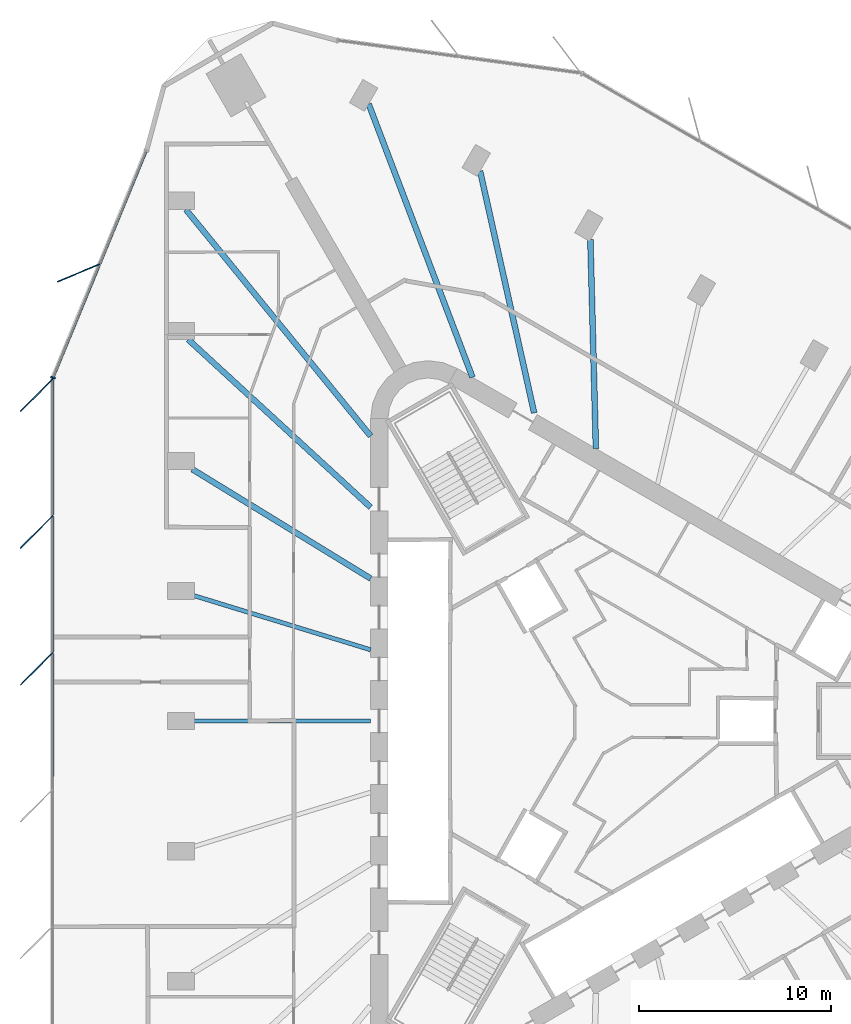
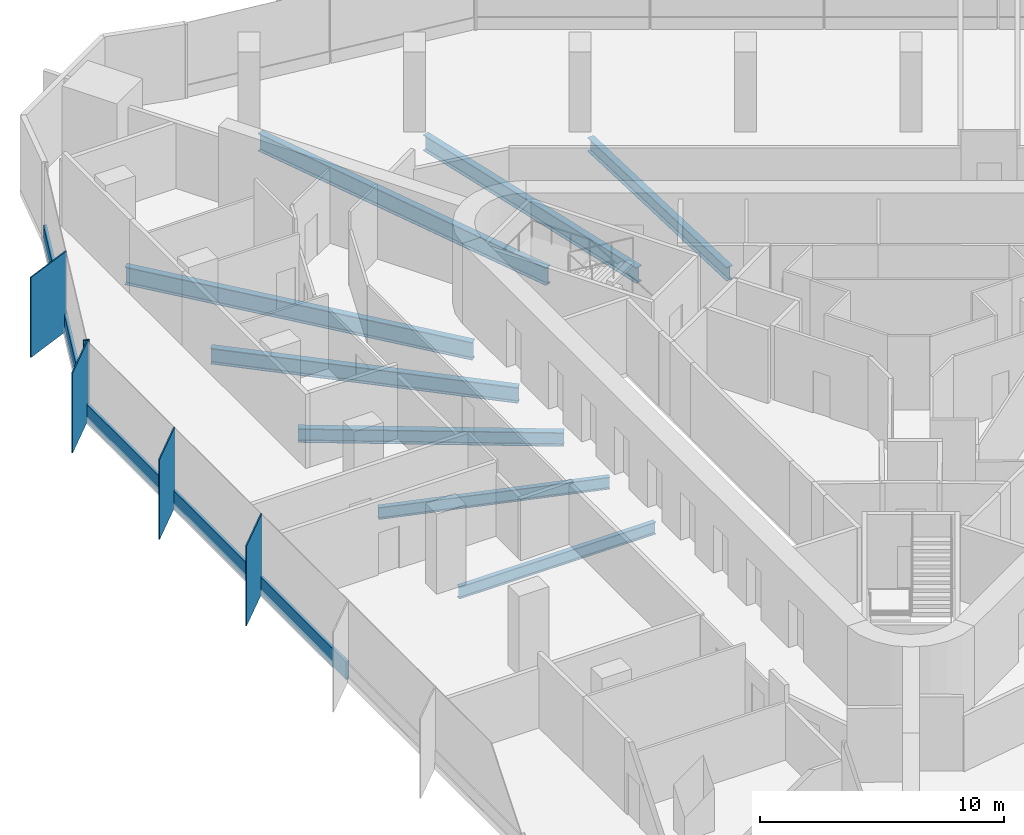
# One storey, part 4 of 14: 10 members, 8 beams, 2 elements without a shape of their own.
"""IFC4 building model written with IfcOpenShell, lengths in metres."""

from ifc_helpers import new_model, si_unit, direction, frame, origin, origin_2d, place, context, subcontext, project, spatial, rectangle, i_section, extrude, material, material_profile, profile_set, type_object, element, aggregate, save


model = new_model("IFC4")

# Units and contexts
model_context = context("Model", 3, precision=1e-05, world=origin(), true_north=direction((0.0, 1.0)))
body_context = subcontext(model_context, "Body", "Model", "MODEL_VIEW")
ifc_project = project(units=[si_unit("LENGTHUNIT", "METRE"), si_unit("AREAUNIT", "SQUARE_METRE"), si_unit("VOLUMEUNIT", "CUBIC_METRE"), si_unit("PLANEANGLEUNIT", "RADIAN"), si_unit("MASSUNIT", "GRAM", prefix="KILO")], contexts=[model_context])

# Site, building, storey
site_placement = place(None, origin())
site = spatial("IfcSite", under=ifc_project, at=site_placement, CompositionType="ELEMENT")
building_placement = place(site_placement, origin())
building = spatial("IfcBuilding", under=site, at=building_placement, Name="Tanit Gate Tower", CompositionType="ELEMENT")
storey_placement = place(building_placement, frame((0.0, 0.0, 229.199951171875)))
storey = spatial("IfcBuildingStorey", under=building, at=storey_placement, Name="L51", CompositionType="ELEMENT", Elevation=229.199951171875)

# Curtain wall, member
ifc_material_1 = material(Name="Aluminium bronze anodised and glass", Category="aluminium")
curtain_wall_type = type_object("IfcCurtainWallType", Name="Curtain wall typical mid", PredefinedType="NOTDEFINED", material=ifc_material_1)
curtain_wall_1_placement = place(storey_placement, origin())
curtain_wall_1 = element("IfcCurtainWall", 1, at=curtain_wall_1_placement, inside=storey, type_object=curtain_wall_type, Name="Curtain wall L51 W1", PredefinedType="NOTDEFINED")
ifc_material_2 = material(Name="Aluminium bronze anodised", Category="aluminium")
ifc_material_profile_1 = material_profile(ifc_material_2, rectangle(XDim=2.39990234375, YDim=0.055908203125, at=origin_2d()), Name="56x2400 bronze fin mullion")
ifc_profile_set_1 = profile_set([ifc_material_profile_1], Name="Aluminium bronze anodised")
member_type_1 = type_object("IfcMemberType", Name="FIN MULLION 56x2400 bronze", PredefinedType="MULLION", material=ifc_profile_set_1)
member_1_placement = place(storey_placement, frame((-27.298828125, 23.334716796875, -0.300048828125), z_axis=(0.0, 0.0, 1.0), x_axis=(0.922885714488, 0.385073964315, 0.0)))
member_1 = element("IfcMember", 2, at=member_1_placement, type_object=member_type_1, Name="Fin mullion L51 W1.2", PredefinedType="MULLION", context=body_context, shape_type="SweptSolid", body=[
    extrude(rectangle(XDim=2.39990234375, YDim=0.055908203125, at=origin_2d()), origin(), (0.0, 0.0, 1.0), 4.0),
])

# Curtain wall, members
curtain_wall_2_placement = place(storey_placement, origin())
curtain_wall_2 = element("IfcCurtainWall", 3, at=curtain_wall_2_placement, inside=storey, type_object=curtain_wall_type, Name="Curtain wall L51 W2", PredefinedType="NOTDEFINED")
member_2_placement = place(storey_placement, frame((-29.48974609375, 16.967529296875, -0.300048828125), z_axis=(0.0, 0.0, 1.0), x_axis=(0.707057749571, 0.707155809403, 0.0)))
member_2 = element("IfcMember", 4, at=member_2_placement, type_object=member_type_1, Name="Fin mullion L51 W2.1", PredefinedType="MULLION", context=body_context, shape_type="SweptSolid", body=[
    extrude(rectangle(XDim=2.39990234375, YDim=0.055908203125, at=origin_2d()), origin(), (0.0, 0.0, 1.0), 4.0),
])
member_3_placement = place(storey_placement, frame((-29.4892578125, 9.84716796875, -0.300048828125), z_axis=(0.0, 0.0, 1.0), x_axis=(0.707057749571, 0.707155809403, 0.0)))
member_3 = element("IfcMember", 5, at=member_3_placement, type_object=member_type_1, Name="Fin mullion L51 W2.2", PredefinedType="MULLION", context=body_context, shape_type="SweptSolid", body=[
    extrude(rectangle(XDim=2.39990234375, YDim=0.055908203125, at=origin_2d()), origin(), (0.0, 0.0, 1.0), 4.0),
])
member_4_placement = place(storey_placement, frame((-29.48876953125, 2.7265625, -0.300048828125), z_axis=(0.0, 0.0, 1.0), x_axis=(0.707057749571, 0.707155809403, 0.0)))
member_4 = element("IfcMember", 6, at=member_4_placement, type_object=member_type_1, Name="Fin mullion L51 W2.3", PredefinedType="MULLION", context=body_context, shape_type="SweptSolid", body=[
    extrude(rectangle(XDim=2.39990234375, YDim=0.055908203125, at=origin_2d()), origin(), (0.0, 0.0, 1.0), 4.0),
])

# Member
ifc_material_3 = material(Name="Aluminium bronze anodised", Category="aluminium")
ifc_material_profile_2 = material_profile(ifc_material_3, rectangle(XDim=0.260009765625, YDim=0.080078125, at=origin_2d()), Name="80x260 bronze mullion")
ifc_profile_set_2 = profile_set([ifc_material_profile_2], Name="Aluminium bronze anodised")
member_type_2 = type_object("IfcMemberType", Name="Mullion 80x260 typical mid", PredefinedType="MULLION", material=ifc_profile_set_2)
member_5_placement = place(storey_placement, frame((-28.64111328125, 17.878173828125, -0.300048828125), z_axis=(0.0, 0.0, 1.0), x_axis=(0.924867158401, -0.380290335549, 0.0)))
member_5 = element("IfcMember", 7, at=member_5_placement, type_object=member_type_2, Name="Mullion L51 W1.3", PredefinedType="MULLION", context=body_context, shape_type="SweptSolid", body=[
    extrude(rectangle(XDim=0.260009765625, YDim=0.080078125, at=origin_2d()), origin(), (0.0, 0.0, 1.0), 4.0),
])

# Beams
ifc_material_4 = material(Name="Steel S355", Category="steel")
ifc_material_profile_3 = material_profile(ifc_material_4, i_section(OverallWidth=0.300048828125, OverallDepth=0.68994140625, WebThickness=0.014404296875, FlangeThickness=0.027099609375, FilletRadius=0.027099609375, at=origin_2d()), Name="HEA 700")
ifc_profile_set_3 = profile_set([ifc_material_profile_3], Name="Steel S355")
beam_type_1 = type_object("IfcBeamType", Name="RADIAL GIRDER HEA 700 S355", PredefinedType="BEAM", material=ifc_profile_set_3)
beam_1_placement = place(storey_placement, frame((-0.661865234375, 25.0791015625, -0.64501953125), z_axis=(0.026380949764, -0.99965196218, 0.0), x_axis=(0.99965196218, 0.026380949764, 0.0)))
element("IfcBeam", 8, at=beam_1_placement, inside=storey, type_object=beam_type_1, Name="RADIAL GIRDER", PredefinedType="BEAM", context=body_context, shape_type="SweptSolid", body=[
    extrude(i_section(OverallWidth=0.300048828125, OverallDepth=0.68994140625, WebThickness=0.014404296875, FlangeThickness=0.027099609375, FilletRadius=0.027099609375, at=origin_2d()), origin(), (0.0, 0.0, 1.0), 10.892578125),
])
beam_2_placement = place(storey_placement, frame((-21.38818359375, 13.11279296875, -0.64501953125), z_axis=(0.852535207667, -0.522669799863, 0.0), x_axis=(0.522669799863, 0.852535207667, 0.0)))
element("IfcBeam", 9, at=beam_2_placement, inside=storey, type_object=beam_type_1, Name="RADIAL GIRDER", PredefinedType="BEAM", context=body_context, shape_type="SweptSolid", body=[
    extrude(i_section(OverallWidth=0.300048828125, OverallDepth=0.68994140625, WebThickness=0.014404296875, FlangeThickness=0.027099609375, FilletRadius=0.027099609375, at=origin_2d()), origin(), (0.0, 0.0, 1.0), 10.892333984375),
])
ifc_material_5 = material(Name="Steel S355", Category="steel")
ifc_material_profile_4 = material_profile(ifc_material_5, i_section(OverallWidth=0.300048828125, OverallDepth=0.7900390625, WebThickness=0.014892578125, FlangeThickness=0.028076171875, FilletRadius=0.030029296875, at=origin_2d()), Name="HEA 800")
ifc_profile_set_4 = profile_set([ifc_material_profile_4], Name="Steel S355")
beam_type_2 = type_object("IfcBeamType", Name="RADIAL GIRDER HEA 800 S355", PredefinedType="BEAM", material=ifc_profile_set_4)
beam_3_placement = place(storey_placement, frame((-6.402587890625, 28.636474609375, -0.695068359375), z_axis=(0.218198546062, -0.975904398236, 0.0), x_axis=(0.975904398236, 0.218198546062, 0.0)))
element("IfcBeam", 10, at=beam_3_placement, inside=storey, type_object=beam_type_2, Name="RADIAL GIRDER", PredefinedType="BEAM", context=body_context, shape_type="SweptSolid", body=[
    extrude(i_section(OverallWidth=0.300048828125, OverallDepth=0.7900390625, WebThickness=0.014892578125, FlangeThickness=0.028076171875, FilletRadius=0.030029296875, at=origin_2d()), origin(), (0.0, 0.0, 1.0), 12.90185546875),
])
beam_4_placement = place(storey_placement, frame((-21.598876953125, 19.86279296875, -0.695068359375), z_axis=(0.736073177965, -0.676901969772, 0.0), x_axis=(0.676901969772, 0.736073177965, 0.0)))
element("IfcBeam", 11, at=beam_4_placement, inside=storey, type_object=beam_type_2, Name="RADIAL GIRDER", PredefinedType="BEAM", context=body_context, shape_type="SweptSolid", body=[
    extrude(i_section(OverallWidth=0.300048828125, OverallDepth=0.7900390625, WebThickness=0.014892578125, FlangeThickness=0.028076171875, FilletRadius=0.030029296875, at=origin_2d()), origin(), (0.0, 0.0, 1.0), 12.902099609375),
])
ifc_material_6 = material(Name="Steel S355", Category="steel")
ifc_material_profile_5 = material_profile(ifc_material_6, i_section(OverallWidth=0.300048828125, OverallDepth=0.889892578125, WebThickness=0.01611328125, FlangeThickness=0.030029296875, FilletRadius=0.030029296875, at=origin_2d()), Name="HEA 900")
ifc_profile_set_5 = profile_set([ifc_material_profile_5], Name="Steel S355")
beam_type_3 = type_object("IfcBeamType", Name="RADIAL GIRDER HEA 900 S355", PredefinedType="BEAM", material=ifc_profile_set_5)
beam_5_placement = place(storey_placement, frame((-12.205078125, 32.1279296875, -0.744873046875), z_axis=(0.355130013355, -0.934816919838, 0.0), x_axis=(0.934816919838, 0.355130013355, 0.0)))
element("IfcBeam", 12, at=beam_5_placement, inside=storey, type_object=beam_type_3, Name="RADIAL GIRDER", PredefinedType="BEAM", context=body_context, shape_type="SweptSolid", body=[
    extrude(i_section(OverallWidth=0.300048828125, OverallDepth=0.889892578125, WebThickness=0.01611328125, FlangeThickness=0.030029296875, FilletRadius=0.030029296875, at=origin_2d()), origin(), (0.0, 0.0, 1.0), 15.219970703125),
])
beam_6_placement = place(storey_placement, frame((-21.72119140625, 26.6337890625, -0.744873046875), z_axis=(0.632014947554, -0.774956196225, 0.0), x_axis=(0.774956196225, 0.632014947554, 0.0)))
element("IfcBeam", 13, at=beam_6_placement, inside=storey, type_object=beam_type_3, Name="RADIAL GIRDER", PredefinedType="BEAM", context=body_context, shape_type="SweptSolid", body=[
    extrude(i_section(OverallWidth=0.300048828125, OverallDepth=0.889892578125, WebThickness=0.01611328125, FlangeThickness=0.030029296875, FilletRadius=0.030029296875, at=origin_2d()), origin(), (0.0, 0.0, 1.0), 15.2197265625),
])
ifc_material_7 = material(Name="Steel S355", Category="steel")
ifc_material_profile_6 = material_profile(ifc_material_7, i_section(OverallWidth=0.219970703125, OverallDepth=0.60009765625, WebThickness=0.011962890625, FlangeThickness=0.01904296875, FilletRadius=0.02392578125, at=origin_2d()), Name="IPE 600")
ifc_profile_set_6 = profile_set([ifc_material_profile_6], Name="Steel S355")
beam_type_4 = type_object("IfcBeamType", Name="RADIAL GIRDER IPE 600 S355", PredefinedType="BEAM", material=ifc_profile_set_6)
beam_7_placement = place(storey_placement, frame((-21.38818359375, 6.556396484375, -0.599853515625), z_axis=(0.956085016758, -0.293089475639, 0.0), x_axis=(0.293089475639, 0.956085016758, 0.0)))
element("IfcBeam", 14, at=beam_7_placement, inside=storey, type_object=beam_type_4, Name="RADIAL GIRDER", PredefinedType="BEAM", context=body_context, shape_type="SweptSolid", body=[
    extrude(i_section(OverallWidth=0.219970703125, OverallDepth=0.60009765625, WebThickness=0.011962890625, FlangeThickness=0.01904296875, FilletRadius=0.02392578125, at=origin_2d()), origin(), (0.0, 0.0, 1.0), 9.712646484375),
])
beam_8_placement = place(storey_placement, frame((-21.38818359375, 0.0, -0.599853515625), z_axis=(1.0, 0.0, 0.0), x_axis=(0.0, 1.0, 0.0)))
element("IfcBeam", 15, at=beam_8_placement, inside=storey, type_object=beam_type_4, Name="RADIAL GIRDER", PredefinedType="BEAM", context=body_context, shape_type="SweptSolid", body=[
    extrude(i_section(OverallWidth=0.219970703125, OverallDepth=0.60009765625, WebThickness=0.011962890625, FlangeThickness=0.01904296875, FilletRadius=0.02392578125, at=origin_2d()), origin(), (0.0, 0.0, 1.0), 9.2861328125),
])

# Member
ifc_material_8 = material(Name="Aluminium bronze anodised", Category="aluminium")
ifc_material_profile_7 = material_profile(ifc_material_8, rectangle(XDim=0.139892578125, YDim=0.89990234375, at=origin_2d()), Name="140x900 bronze transom")
ifc_profile_set_7 = profile_set([ifc_material_profile_7], Name="Aluminium bronze anodised")
member_type_3 = type_object("IfcMemberType", Name="Transom 140x900 typical mid", PredefinedType="USERDEFINED", material=ifc_profile_set_7)
member_6_placement = place(storey_placement, frame((-23.795654296875, 29.662109375, 0.150146484375), z_axis=(-0.380298329164, -0.924863871516, 0.0), x_axis=(0.924863871516, -0.380298329164, 0.0)))
member_6 = element("IfcMember", 16, at=member_6_placement, type_object=member_type_3, Name="Transom L51 W1.1", ObjectType="TRANSOM", PredefinedType="USERDEFINED", context=body_context, shape_type="SweptSolid", body=[
    extrude(rectangle(XDim=0.139892578125, YDim=0.89990234375, at=origin_2d()), origin(), (0.0, 0.0, 1.0), 6.310546875),
])

member_7_placement = place(storey_placement, frame((-26.22607421875, 23.751708984375, 0.150146484375), z_axis=(-0.380284722273, -0.924869466468, 0.0), x_axis=(0.924869466468, -0.380284722273, 0.0)))
member_7 = element("IfcMember", 17, at=member_7_placement, type_object=member_type_3, Name="Transom L51 W1.2", ObjectType="TRANSOM", PredefinedType="USERDEFINED", context=body_context, shape_type="SweptSolid", body=[
    extrude(rectangle(XDim=0.139892578125, YDim=0.89990234375, at=origin_2d()), origin(), (0.0, 0.0, 1.0), 6.310791015625),
])

aggregate(curtain_wall_1, [member_1, member_5, member_6, member_7])

member_8_placement = place(storey_placement, frame((-28.65625, 17.760986328125, 0.150146484375), z_axis=(6.9355342e-05, -0.999999997595, 0.0), x_axis=(0.999999997595, 6.9355342e-05, 0.0)))
member_8 = element("IfcMember", 18, at=member_8_placement, type_object=member_type_3, Name="Transom L51 W2.1", ObjectType="TRANSOM", PredefinedType="USERDEFINED", context=body_context, shape_type="SweptSolid", body=[
    extrude(rectangle(XDim=0.139892578125, YDim=0.89990234375, at=origin_2d()), origin(), (0.0, 0.0, 1.0), 7.040283203125),
])

member_9_placement = place(storey_placement, frame((-28.65576171875, 10.640625, 0.150146484375), z_axis=(6.9352937e-05, -0.999999997595, 0.0), x_axis=(0.999999997595, 6.9352937e-05, 0.0)))
member_9 = element("IfcMember", 19, at=member_9_placement, type_object=member_type_3, Name="Transom L51 W2.2", ObjectType="TRANSOM", PredefinedType="USERDEFINED", context=body_context, shape_type="SweptSolid", body=[
    extrude(rectangle(XDim=0.139892578125, YDim=0.89990234375, at=origin_2d()), origin(), (0.0, 0.0, 1.0), 7.04052734375),
])

member_10_placement = place(storey_placement, frame((-28.6552734375, 3.520263671875, 0.150146484375), z_axis=(6.9352937e-05, -0.999999997595, 0.0), x_axis=(0.999999997595, 6.9352937e-05, 0.0)))
member_10 = element("IfcMember", 20, at=member_10_placement, type_object=member_type_3, Name="Transom L51 W2.3", ObjectType="TRANSOM", PredefinedType="USERDEFINED", context=body_context, shape_type="SweptSolid", body=[
    extrude(rectangle(XDim=0.139892578125, YDim=0.89990234375, at=origin_2d()), origin(), (0.0, 0.0, 1.0), 7.04052734375),
])

aggregate(curtain_wall_2, [member_2, member_3, member_4, member_8, member_9, member_10])

save(model, "model.ifc")
